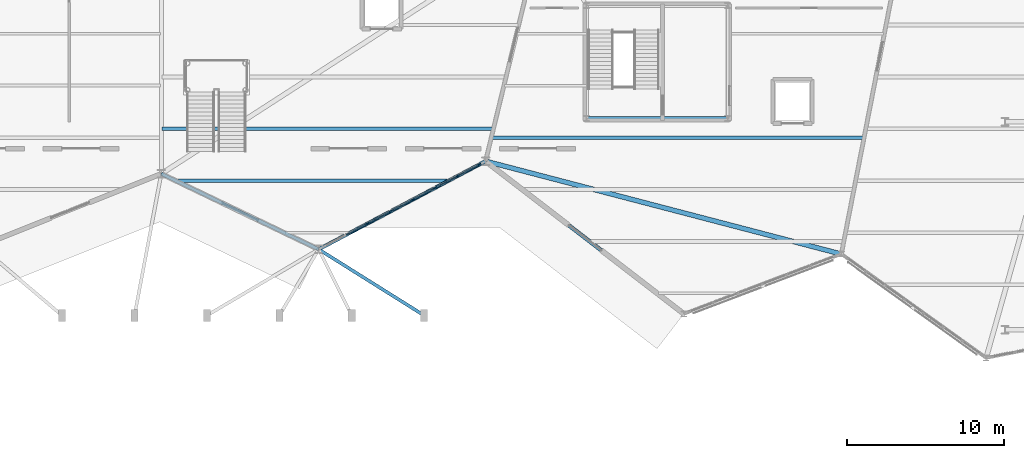
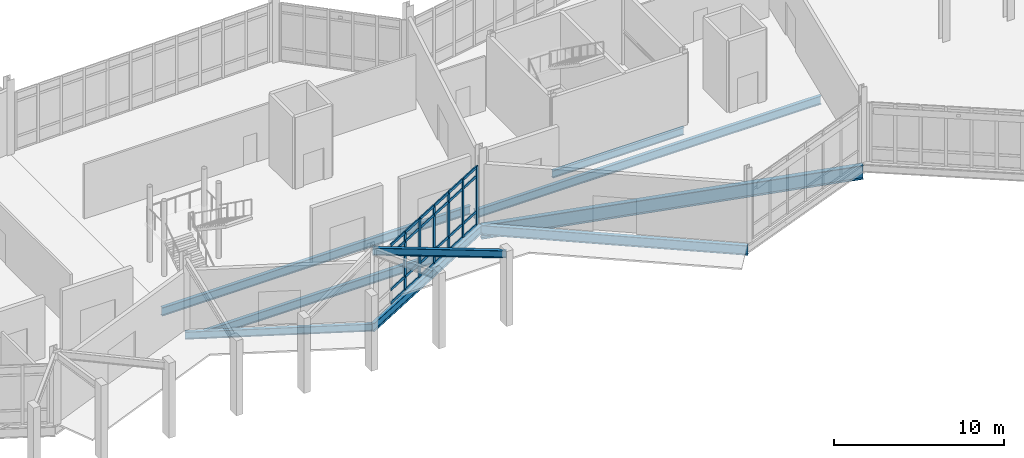
# One storey, part 35 of 113: 30 members, 9 beams, 1 element without a shape of its own.
"""IFC4 building model written with IfcOpenShell, lengths in metres."""

from ifc_helpers import new_model, si_unit, direction, frame, origin, origin_2d, place, context, subcontext, project, spatial, rectangle, i_section, extrude, material, material_profile, profile_set, type_object, element, aggregate, save


model = new_model("IFC4")

# Units and contexts
model_context = context("Model", 3, precision=1e-05, world=origin(), true_north=direction((0.0, 1.0)))
body_context = subcontext(model_context, "Body", "Model", "MODEL_VIEW")
ifc_project = project(units=[si_unit("LENGTHUNIT", "METRE"), si_unit("AREAUNIT", "SQUARE_METRE"), si_unit("VOLUMEUNIT", "CUBIC_METRE"), si_unit("PLANEANGLEUNIT", "RADIAN"), si_unit("MASSUNIT", "GRAM", prefix="KILO")], contexts=[model_context])

# Site, building, storey
site_placement = place(None, origin())
site = spatial("IfcSite", under=ifc_project, at=site_placement, CompositionType="ELEMENT")
building_placement = place(site_placement, origin())
building = spatial("IfcBuilding", under=site, at=building_placement, Name="Tameran Prism Museum", CompositionType="ELEMENT")
storey_placement = place(building_placement, origin())
storey = spatial("IfcBuildingStorey", under=building, at=storey_placement, Name="L00", CompositionType="ELEMENT", Elevation=0.0)

# Beams
ifc_material_1 = material(Name="Steel Grade 300PLUS (300 MPa)", Category="steel")
ifc_material_profile_1 = material_profile(ifc_material_1, i_section(OverallWidth=0.208984375, OverallDepth=0.532958984375, WebThickness=0.01025390625, FlangeThickness=0.015625, FilletRadius=0.013916015625, at=origin_2d()))
ifc_profile_set_1 = profile_set([ifc_material_profile_1])
beam_type_1 = type_object("IfcBeamType", Name="BM-SP530A", PredefinedType="SPANDREL", material=ifc_profile_set_1)
beam_1_placement = place(storey_placement, frame((77.5, 27.39990234375, -0.506591796875), z_axis=(0.901529926538, -0.432716756732, 0.0), x_axis=(0.432716756732, 0.901529926538, 0.0)))
element("IfcBeam", 1, at=beam_1_placement, inside=storey, type_object=beam_type_1, Name="Perimeter Spandrel SP-0027", PredefinedType="SPANDREL", context=body_context, shape_type="SweptSolid", body=[
    extrude(i_section(OverallWidth=0.208984375, OverallDepth=0.532958984375, WebThickness=0.01025390625, FlangeThickness=0.015625, FilletRadius=0.013916015625, at=origin_2d()), origin(), (0.0, 0.0, 1.0), 11.09228515625),
])
ifc_material_2 = material(Name="Steel Grade 300PLUS (300 MPa)", Category="steel")
ifc_material_profile_2 = material_profile(ifc_material_2, i_section(OverallWidth=0.208984375, OverallDepth=0.528076171875, WebThickness=0.009521484375, FlangeThickness=0.01318359375, FilletRadius=0.013916015625, at=origin_2d()))
ifc_profile_set_2 = profile_set([ifc_material_profile_2])
beam_type_2 = type_object("IfcBeamType", Name="BM-SP530B", PredefinedType="SPANDREL", material=ifc_profile_set_2)
beam_2_placement = place(storey_placement, frame((104.52001953125, 30.919921875, -0.50390625), z_axis=(1.0, 0.0, 0.0), x_axis=(0.0, 1.0, 0.0)))
element("IfcBeam", 2, at=beam_2_placement, inside=storey, type_object=beam_type_2, Name="Core Ring Beam CTB-0122", PredefinedType="SPANDREL", context=body_context, shape_type="SweptSolid", body=[
    extrude(i_section(OverallWidth=0.208984375, OverallDepth=0.528076171875, WebThickness=0.009521484375, FlangeThickness=0.01318359375, FilletRadius=0.013916015625, at=origin_2d()), origin(), (0.0, 0.0, 1.0), 8.9599609375),
])
beam_3_placement = place(storey_placement, frame((94.199951171875, 18.39990234375, 4.9599609375), z_axis=(-0.847274231014, 0.531155699828, 0.0), x_axis=(-0.531155699828, -0.847274231014, 0.0)))
element("IfcBeam", 3, at=beam_3_placement, inside=storey, type_object=beam_type_2, Name="Canopy Tie Beam CB-1322", PredefinedType="SPANDREL", context=body_context, shape_type="SweptSolid", body=[
    extrude(i_section(OverallWidth=0.208984375, OverallDepth=0.528076171875, WebThickness=0.009521484375, FlangeThickness=0.01318359375, FilletRadius=0.013916015625, at=origin_2d()), origin(), (0.0, 0.0, 1.0), 7.90771484375),
])
ifc_material_3 = material(Name="Steel Grade 300PLUS (300 MPa)", Category="steel")
ifc_material_profile_3 = material_profile(ifc_material_3, i_section(OverallWidth=0.22802734375, OverallDepth=0.60205078125, WebThickness=0.010498046875, FlangeThickness=0.014892578125, FilletRadius=0.013916015625, at=origin_2d()))
ifc_profile_set_3 = profile_set([ifc_material_profile_3])
beam_type_3 = type_object("IfcBeamType", Name="BM-SP610", PredefinedType="SPANDREL", material=ifc_profile_set_3)
beam_4_placement = place(storey_placement, frame((87.5, 22.60009765625, -0.541015625), z_axis=(0.884200208153, 0.46710811586, 0.0), x_axis=(-0.46710811586, 0.884200208153, 0.0)))
element("IfcBeam", 4, at=beam_4_placement, inside=storey, type_object=beam_type_3, Name="Perimeter Spandrel SP-0028", PredefinedType="SPANDREL", context=body_context, shape_type="SweptSolid", body=[
    extrude(i_section(OverallWidth=0.22802734375, OverallDepth=0.60205078125, WebThickness=0.010498046875, FlangeThickness=0.014892578125, FilletRadius=0.013916015625, at=origin_2d()), origin(), (0.0, 0.0, 1.0), 11.98828125),
])
ifc_material_4 = material(Name="Steel Grade 350 (350 MPa)", Category="steel")
ifc_material_profile_4 = material_profile(ifc_material_4, i_section(OverallWidth=0.25, OverallDepth=0.699951171875, WebThickness=0.010009765625, FlangeThickness=0.02001953125, at=origin_2d()))
ifc_profile_set_4 = profile_set([ifc_material_profile_4])
beam_type_4 = type_object("IfcBeamType", Name="BM-SP700", PredefinedType="SPANDREL", material=ifc_profile_set_4)
beam_5_placement = place(storey_placement, frame((98.10009765625, 28.199951171875, -0.590087890625), z_axis=(0.792388202323, -0.610017161086, 0.0), x_axis=(0.610017161086, 0.792388202323, 0.0)))
element("IfcBeam", 5, at=beam_5_placement, inside=storey, type_object=beam_type_4, Name="Perimeter Spandrel SP-0037", PredefinedType="SPANDREL", context=body_context, shape_type="SweptSolid", body=[
    extrude(i_section(OverallWidth=0.25, OverallDepth=0.699951171875, WebThickness=0.010009765625, FlangeThickness=0.02001953125, at=origin_2d()), origin(), (0.0, 0.0, 1.0), 15.901123046875),
])
ifc_material_5 = material(Name="Steel Grade 300PLUS (300 MPa)", Category="steel")
ifc_material_profile_5 = material_profile(ifc_material_5, i_section(OverallWidth=0.22802734375, OverallDepth=0.60693359375, WebThickness=0.01123046875, FlangeThickness=0.017333984375, FilletRadius=0.013916015625, at=origin_2d()))
ifc_profile_set_5 = profile_set([ifc_material_profile_5])
beam_type_5 = type_object("IfcBeamType", Name="BM-UB610B", PredefinedType="BEAM", material=ifc_profile_set_5)
beam_6_placement = place(storey_placement, frame((78.530029296875, 26.949951171875, -0.54345703125), z_axis=(1.0, 0.0, 0.0), x_axis=(0.0, 1.0, 0.0)))
element("IfcBeam", 6, at=beam_6_placement, inside=storey, type_object=beam_type_5, Name="Floor Beam BM-0210", PredefinedType="BEAM", context=body_context, shape_type="SweptSolid", body=[
    extrude(i_section(OverallWidth=0.22802734375, OverallDepth=0.60693359375, WebThickness=0.01123046875, FlangeThickness=0.017333984375, FilletRadius=0.013916015625, at=origin_2d()), origin(), (0.0, 0.0, 1.0), 17.117919921875),
])
beam_7_placement = place(storey_placement, frame((77.5400390625, 30.25, -0.54345703125), z_axis=(1.0, 0.0, 0.0), x_axis=(0.0, 1.0, 0.0)))
element("IfcBeam", 7, at=beam_7_placement, inside=storey, type_object=beam_type_5, Name="Floor Beam BM-0211", PredefinedType="BEAM", context=body_context, shape_type="SweptSolid", body=[
    extrude(i_section(OverallWidth=0.22802734375, OverallDepth=0.60693359375, WebThickness=0.01123046875, FlangeThickness=0.017333984375, FilletRadius=0.013916015625, at=origin_2d()), origin(), (0.0, 0.0, 1.0), 21.016845703125),
])
beam_8_placement = place(storey_placement, frame((98.506103515625, 29.699951171875, -0.54345703125), z_axis=(1.0, 0.0, 0.0), x_axis=(0.0, 1.0, 0.0)))
element("IfcBeam", 8, at=beam_8_placement, inside=storey, type_object=beam_type_5, Name="Floor Beam BM-0231", PredefinedType="BEAM", context=body_context, shape_type="SweptSolid", body=[
    extrude(i_section(OverallWidth=0.22802734375, OverallDepth=0.60693359375, WebThickness=0.01123046875, FlangeThickness=0.017333984375, FilletRadius=0.013916015625, at=origin_2d()), origin(), (0.0, 0.0, 1.0), 23.597900390625),
])
ifc_material_6 = material(Name="Steel Grade 350 (350 MPa)", Category="steel")
ifc_material_profile_6 = material_profile(ifc_material_6, i_section(OverallWidth=0.300048828125, OverallDepth=1.0, WebThickness=0.01611328125, FlangeThickness=0.031982421875, at=origin_2d()))
ifc_profile_set_6 = profile_set([ifc_material_profile_6])
beam_type_6 = type_object("IfcBeamType", Name="BM-WB1000", PredefinedType="BEAM", material=ifc_profile_set_6)
beam_9_placement = place(storey_placement, frame((98.10009765625, 28.199951171875, -0.739990234375), z_axis=(0.967572413362, -0.252593794265, 0.0), x_axis=(0.252593794265, 0.967572413362, 0.0)))
element("IfcBeam", 9, at=beam_9_placement, inside=storey, type_object=beam_type_6, Name="Primary Vertex Girder PG-0041", PredefinedType="BEAM", context=body_context, shape_type="SweptSolid", body=[
    extrude(i_section(OverallWidth=0.300048828125, OverallDepth=1.0, WebThickness=0.01611328125, FlangeThickness=0.031982421875, at=origin_2d()), origin(), (0.0, 0.0, 1.0), 23.357177734375),
])

# Curtain wall, members
ifc_material_7 = material(Name="Anodised Aluminium 6063-T6 and Cyclone Solar Glass", Category="aluminium")
curtain_wall_type = type_object("IfcCurtainWallType", Name="CW-FAC-1123x422", PredefinedType="USERDEFINED", material=ifc_material_7)
curtain_wall_placement = place(storey_placement, origin())
curtain_wall = element("IfcCurtainWall", 10, at=curtain_wall_placement, inside=storey, type_object=curtain_wall_type, Name="Unitised Curtain Wall CW-030", ObjectType="UNITISED CURTAIN WALL", PredefinedType="USERDEFINED")
ifc_material_8 = material(Name="Anodised Aluminium Alloy 6063-T6", Category="aluminium")
ifc_material_profile_7 = material_profile(ifc_material_8, rectangle(XDim=0.080078125, YDim=0.219970703125, at=origin_2d()))
ifc_profile_set_7 = profile_set([ifc_material_profile_7])
member_type_1 = type_object("IfcMemberType", Name="CW-MUL-D", PredefinedType="MULLION", material=ifc_profile_set_7)
member_1_placement = place(storey_placement, frame((97.70263671875, 27.990234375, 0.0), z_axis=(0.0, 0.0, 1.0), x_axis=(0.467155185438, -0.884175340483, 0.0)))
member_1 = element("IfcMember", 11, at=member_1_placement, type_object=member_type_1, Name="CW-030 mullion 1", PredefinedType="MULLION", context=body_context, shape_type="SweptSolid", body=[
    extrude(rectangle(XDim=0.080078125, YDim=0.219970703125, at=origin_2d()), origin(), (0.0, 0.0, 1.0), 4.219970703125),
])
member_2_placement = place(storey_placement, frame((96.319580078125, 27.259521484375, 0.0), z_axis=(0.0, 0.0, 1.0), x_axis=(0.467155185438, -0.884175340483, 0.0)))
member_2 = element("IfcMember", 12, at=member_2_placement, type_object=member_type_1, Name="CW-030 mullion 2", PredefinedType="MULLION", context=body_context, shape_type="SweptSolid", body=[
    extrude(rectangle(XDim=0.080078125, YDim=0.219970703125, at=origin_2d()), origin(), (0.0, 0.0, 1.0), 4.219970703125),
])
member_3_placement = place(storey_placement, frame((94.901123046875, 26.51025390625, 0.0), z_axis=(0.0, 0.0, 1.0), x_axis=(0.467155185438, -0.884175340483, 0.0)))
member_3 = element("IfcMember", 13, at=member_3_placement, type_object=member_type_1, Name="CW-030 mullion 3", PredefinedType="MULLION", context=body_context, shape_type="SweptSolid", body=[
    extrude(rectangle(XDim=0.080078125, YDim=0.219970703125, at=origin_2d()), origin(), (0.0, 0.0, 1.0), 4.219970703125),
])
member_4_placement = place(storey_placement, frame((93.482666015625, 25.7607421875, 0.0), z_axis=(0.0, 0.0, 1.0), x_axis=(0.467155185438, -0.884175340483, 0.0)))
member_4 = element("IfcMember", 14, at=member_4_placement, type_object=member_type_1, Name="CW-030 mullion 4", PredefinedType="MULLION", context=body_context, shape_type="SweptSolid", body=[
    extrude(rectangle(XDim=0.080078125, YDim=0.219970703125, at=origin_2d()), origin(), (0.0, 0.0, 1.0), 4.219970703125),
])
member_5_placement = place(storey_placement, frame((92.064208984375, 25.01123046875, 0.0), z_axis=(0.0, 0.0, 1.0), x_axis=(0.467155185438, -0.884175340483, 0.0)))
member_5 = element("IfcMember", 15, at=member_5_placement, type_object=member_type_1, Name="CW-030 mullion 5", PredefinedType="MULLION", context=body_context, shape_type="SweptSolid", body=[
    extrude(rectangle(XDim=0.080078125, YDim=0.219970703125, at=origin_2d()), origin(), (0.0, 0.0, 1.0), 4.219970703125),
])
member_6_placement = place(storey_placement, frame((90.645751953125, 24.261962890625, 0.0), z_axis=(0.0, 0.0, 1.0), x_axis=(0.467155185438, -0.884175340483, 0.0)))
member_6 = element("IfcMember", 16, at=member_6_placement, type_object=member_type_1, Name="CW-030 mullion 6", PredefinedType="MULLION", context=body_context, shape_type="SweptSolid", body=[
    extrude(rectangle(XDim=0.080078125, YDim=0.219970703125, at=origin_2d()), origin(), (0.0, 0.0, 1.0), 4.219970703125),
])
ifc_material_9 = material(Name="Anodised Aluminium Alloy 6063-T6", Category="aluminium")
ifc_material_profile_8 = material_profile(ifc_material_9, rectangle(XDim=0.080078125, YDim=0.195068359375, at=origin_2d()))
ifc_profile_set_8 = profile_set([ifc_material_profile_8])
member_type_2 = type_object("IfcMemberType", Name="CW-TRN-D", PredefinedType="USERDEFINED", material=ifc_profile_set_8)
member_7_placement = place(storey_placement, frame((97.667236328125, 27.9716796875, 0.0400390625), z_axis=(-0.884167744573, -0.467169561784, 0.0), x_axis=(0.467169561784, -0.884167744573, 0.0)))
member_7 = element("IfcMember", 17, at=member_7_placement, type_object=member_type_2, Name="CW-030 transom 1.1", ObjectType="TRANSOM", PredefinedType="USERDEFINED", context=body_context, shape_type="SweptSolid", body=[
    extrude(rectangle(XDim=0.080078125, YDim=0.195068359375, at=origin_2d()), origin(), (0.0, 0.0, 1.0), 1.484130859375),
])
member_8_placement = place(storey_placement, frame((97.667236328125, 27.9716796875, 1.0), z_axis=(-0.884167744573, -0.467169561784, 0.0), x_axis=(0.467169561784, -0.884167744573, 0.0)))
member_8 = element("IfcMember", 18, at=member_8_placement, type_object=member_type_2, Name="CW-030 transom 1.2", ObjectType="TRANSOM", PredefinedType="USERDEFINED", context=body_context, shape_type="SweptSolid", body=[
    extrude(rectangle(XDim=0.080078125, YDim=0.195068359375, at=origin_2d()), origin(), (0.0, 0.0, 1.0), 1.484130859375),
])
member_9_placement = place(storey_placement, frame((97.667236328125, 27.9716796875, 3.5400390625), z_axis=(-0.884167744573, -0.467169561784, 0.0), x_axis=(0.467169561784, -0.884167744573, 0.0)))
member_9 = element("IfcMember", 19, at=member_9_placement, type_object=member_type_2, Name="CW-030 transom 1.3", ObjectType="TRANSOM", PredefinedType="USERDEFINED", context=body_context, shape_type="SweptSolid", body=[
    extrude(rectangle(XDim=0.080078125, YDim=0.195068359375, at=origin_2d()), origin(), (0.0, 0.0, 1.0), 1.484130859375),
])
member_10_placement = place(storey_placement, frame((97.667236328125, 27.9716796875, 4.179931640625), z_axis=(-0.884167744573, -0.467169561784, 0.0), x_axis=(0.467169561784, -0.884167744573, 0.0)))
member_10 = element("IfcMember", 20, at=member_10_placement, type_object=member_type_2, Name="CW-030 transom 1.4", ObjectType="TRANSOM", PredefinedType="USERDEFINED", context=body_context, shape_type="SweptSolid", body=[
    extrude(rectangle(XDim=0.080078125, YDim=0.195068359375, at=origin_2d()), origin(), (0.0, 0.0, 1.0), 1.484130859375),
])
member_11_placement = place(storey_placement, frame((96.2841796875, 27.240966796875, 0.0400390625), z_axis=(-0.884142202605, -0.467217899456, 0.0), x_axis=(0.467217899456, -0.884142202605, 0.0)))
member_11 = element("IfcMember", 21, at=member_11_placement, type_object=member_type_2, Name="CW-030 transom 2.1", ObjectType="TRANSOM", PredefinedType="USERDEFINED", context=body_context, shape_type="SweptSolid", body=[
    extrude(rectangle(XDim=0.080078125, YDim=0.195068359375, at=origin_2d()), origin(), (0.0, 0.0, 1.0), 1.524169921875),
])
member_12_placement = place(storey_placement, frame((96.2841796875, 27.240966796875, 1.0), z_axis=(-0.884142202605, -0.467217899456, 0.0), x_axis=(0.467217899456, -0.884142202605, 0.0)))
member_12 = element("IfcMember", 22, at=member_12_placement, type_object=member_type_2, Name="CW-030 transom 2.2", ObjectType="TRANSOM", PredefinedType="USERDEFINED", context=body_context, shape_type="SweptSolid", body=[
    extrude(rectangle(XDim=0.080078125, YDim=0.195068359375, at=origin_2d()), origin(), (0.0, 0.0, 1.0), 1.524169921875),
])
member_13_placement = place(storey_placement, frame((96.2841796875, 27.240966796875, 3.5400390625), z_axis=(-0.884142202605, -0.467217899456, 0.0), x_axis=(0.467217899456, -0.884142202605, 0.0)))
member_13 = element("IfcMember", 23, at=member_13_placement, type_object=member_type_2, Name="CW-030 transom 2.3", ObjectType="TRANSOM", PredefinedType="USERDEFINED", context=body_context, shape_type="SweptSolid", body=[
    extrude(rectangle(XDim=0.080078125, YDim=0.195068359375, at=origin_2d()), origin(), (0.0, 0.0, 1.0), 1.524169921875),
])
member_14_placement = place(storey_placement, frame((96.2841796875, 27.240966796875, 4.179931640625), z_axis=(-0.884142202605, -0.467217899456, 0.0), x_axis=(0.467217899456, -0.884142202605, 0.0)))
member_14 = element("IfcMember", 24, at=member_14_placement, type_object=member_type_2, Name="CW-030 transom 2.4", ObjectType="TRANSOM", PredefinedType="USERDEFINED", context=body_context, shape_type="SweptSolid", body=[
    extrude(rectangle(XDim=0.080078125, YDim=0.195068359375, at=origin_2d()), origin(), (0.0, 0.0, 1.0), 1.524169921875),
])
member_15_placement = place(storey_placement, frame((94.86572265625, 26.491455078125, 0.0400390625), z_axis=(-0.884142202605, -0.467217899456, 0.0), x_axis=(0.467217899456, -0.884142202605, 0.0)))
member_15 = element("IfcMember", 25, at=member_15_placement, type_object=member_type_2, Name="CW-030 transom 3.1", ObjectType="TRANSOM", PredefinedType="USERDEFINED", context=body_context, shape_type="SweptSolid", body=[
    extrude(rectangle(XDim=0.080078125, YDim=0.195068359375, at=origin_2d()), origin(), (0.0, 0.0, 1.0), 1.524169921875),
])
member_16_placement = place(storey_placement, frame((94.86572265625, 26.491455078125, 1.0), z_axis=(-0.884142202605, -0.467217899456, 0.0), x_axis=(0.467217899456, -0.884142202605, 0.0)))
member_16 = element("IfcMember", 26, at=member_16_placement, type_object=member_type_2, Name="CW-030 transom 3.2", ObjectType="TRANSOM", PredefinedType="USERDEFINED", context=body_context, shape_type="SweptSolid", body=[
    extrude(rectangle(XDim=0.080078125, YDim=0.195068359375, at=origin_2d()), origin(), (0.0, 0.0, 1.0), 1.524169921875),
])
member_17_placement = place(storey_placement, frame((94.86572265625, 26.491455078125, 3.5400390625), z_axis=(-0.884142202605, -0.467217899456, 0.0), x_axis=(0.467217899456, -0.884142202605, 0.0)))
member_17 = element("IfcMember", 27, at=member_17_placement, type_object=member_type_2, Name="CW-030 transom 3.3", ObjectType="TRANSOM", PredefinedType="USERDEFINED", context=body_context, shape_type="SweptSolid", body=[
    extrude(rectangle(XDim=0.080078125, YDim=0.195068359375, at=origin_2d()), origin(), (0.0, 0.0, 1.0), 1.524169921875),
])
member_18_placement = place(storey_placement, frame((94.86572265625, 26.491455078125, 4.179931640625), z_axis=(-0.884142202605, -0.467217899456, 0.0), x_axis=(0.467217899456, -0.884142202605, 0.0)))
member_18 = element("IfcMember", 28, at=member_18_placement, type_object=member_type_2, Name="CW-030 transom 3.4", ObjectType="TRANSOM", PredefinedType="USERDEFINED", context=body_context, shape_type="SweptSolid", body=[
    extrude(rectangle(XDim=0.080078125, YDim=0.195068359375, at=origin_2d()), origin(), (0.0, 0.0, 1.0), 1.524169921875),
])
member_19_placement = place(storey_placement, frame((93.447265625, 25.741943359375, 0.0400390625), z_axis=(-0.884208363129, -0.467092678783, 0.0), x_axis=(0.467092678783, -0.884208363129, 0.0)))
member_19 = element("IfcMember", 29, at=member_19_placement, type_object=member_type_2, Name="CW-030 transom 4.1", ObjectType="TRANSOM", PredefinedType="USERDEFINED", context=body_context, shape_type="SweptSolid", body=[
    extrude(rectangle(XDim=0.080078125, YDim=0.195068359375, at=origin_2d()), origin(), (0.0, 0.0, 1.0), 1.524169921875),
])
member_20_placement = place(storey_placement, frame((93.447265625, 25.741943359375, 1.0), z_axis=(-0.884208363129, -0.467092678783, 0.0), x_axis=(0.467092678783, -0.884208363129, 0.0)))
member_20 = element("IfcMember", 30, at=member_20_placement, type_object=member_type_2, Name="CW-030 transom 4.2", ObjectType="TRANSOM", PredefinedType="USERDEFINED", context=body_context, shape_type="SweptSolid", body=[
    extrude(rectangle(XDim=0.080078125, YDim=0.195068359375, at=origin_2d()), origin(), (0.0, 0.0, 1.0), 1.524169921875),
])
member_21_placement = place(storey_placement, frame((93.447265625, 25.741943359375, 3.5400390625), z_axis=(-0.884208363129, -0.467092678783, 0.0), x_axis=(0.467092678783, -0.884208363129, 0.0)))
member_21 = element("IfcMember", 31, at=member_21_placement, type_object=member_type_2, Name="CW-030 transom 4.3", ObjectType="TRANSOM", PredefinedType="USERDEFINED", context=body_context, shape_type="SweptSolid", body=[
    extrude(rectangle(XDim=0.080078125, YDim=0.195068359375, at=origin_2d()), origin(), (0.0, 0.0, 1.0), 1.524169921875),
])
member_22_placement = place(storey_placement, frame((93.447265625, 25.741943359375, 4.179931640625), z_axis=(-0.884208363129, -0.467092678783, 0.0), x_axis=(0.467092678783, -0.884208363129, 0.0)))
member_22 = element("IfcMember", 32, at=member_22_placement, type_object=member_type_2, Name="CW-030 transom 4.4", ObjectType="TRANSOM", PredefinedType="USERDEFINED", context=body_context, shape_type="SweptSolid", body=[
    extrude(rectangle(XDim=0.080078125, YDim=0.195068359375, at=origin_2d()), origin(), (0.0, 0.0, 1.0), 1.524169921875),
])
member_23_placement = place(storey_placement, frame((92.02880859375, 24.99267578125, 0.0400390625), z_axis=(-0.884142202605, -0.467217899456, 0.0), x_axis=(0.467217899456, -0.884142202605, 0.0)))
member_23 = element("IfcMember", 33, at=member_23_placement, type_object=member_type_2, Name="CW-030 transom 5.1", ObjectType="TRANSOM", PredefinedType="USERDEFINED", context=body_context, shape_type="SweptSolid", body=[
    extrude(rectangle(XDim=0.080078125, YDim=0.195068359375, at=origin_2d()), origin(), (0.0, 0.0, 1.0), 1.524169921875),
])
member_24_placement = place(storey_placement, frame((92.02880859375, 24.99267578125, 1.0), z_axis=(-0.884142202605, -0.467217899456, 0.0), x_axis=(0.467217899456, -0.884142202605, 0.0)))
member_24 = element("IfcMember", 34, at=member_24_placement, type_object=member_type_2, Name="CW-030 transom 5.2", ObjectType="TRANSOM", PredefinedType="USERDEFINED", context=body_context, shape_type="SweptSolid", body=[
    extrude(rectangle(XDim=0.080078125, YDim=0.195068359375, at=origin_2d()), origin(), (0.0, 0.0, 1.0), 1.524169921875),
])
member_25_placement = place(storey_placement, frame((92.02880859375, 24.99267578125, 3.5400390625), z_axis=(-0.884142202605, -0.467217899456, 0.0), x_axis=(0.467217899456, -0.884142202605, 0.0)))
member_25 = element("IfcMember", 35, at=member_25_placement, type_object=member_type_2, Name="CW-030 transom 5.3", ObjectType="TRANSOM", PredefinedType="USERDEFINED", context=body_context, shape_type="SweptSolid", body=[
    extrude(rectangle(XDim=0.080078125, YDim=0.195068359375, at=origin_2d()), origin(), (0.0, 0.0, 1.0), 1.524169921875),
])
member_26_placement = place(storey_placement, frame((92.02880859375, 24.99267578125, 4.179931640625), z_axis=(-0.884142202605, -0.467217899456, 0.0), x_axis=(0.467217899456, -0.884142202605, 0.0)))
member_26 = element("IfcMember", 36, at=member_26_placement, type_object=member_type_2, Name="CW-030 transom 5.4", ObjectType="TRANSOM", PredefinedType="USERDEFINED", context=body_context, shape_type="SweptSolid", body=[
    extrude(rectangle(XDim=0.080078125, YDim=0.195068359375, at=origin_2d()), origin(), (0.0, 0.0, 1.0), 1.524169921875),
])
member_27_placement = place(storey_placement, frame((90.610595703125, 24.2431640625, 0.0400390625), z_axis=(-0.88417715925, -0.467151743078, 0.0), x_axis=(0.467151743078, -0.88417715925, 0.0)))
member_27 = element("IfcMember", 37, at=member_27_placement, type_object=member_type_2, Name="CW-030 transom 6.1", ObjectType="TRANSOM", PredefinedType="USERDEFINED", context=body_context, shape_type="SweptSolid", body=[
    extrude(rectangle(XDim=0.080078125, YDim=0.195068359375, at=origin_2d()), origin(), (0.0, 0.0, 1.0), 1.5244140625),
])
member_28_placement = place(storey_placement, frame((90.610595703125, 24.2431640625, 1.0), z_axis=(-0.88417715925, -0.467151743078, 0.0), x_axis=(0.467151743078, -0.88417715925, 0.0)))
member_28 = element("IfcMember", 38, at=member_28_placement, type_object=member_type_2, Name="CW-030 transom 6.2", ObjectType="TRANSOM", PredefinedType="USERDEFINED", context=body_context, shape_type="SweptSolid", body=[
    extrude(rectangle(XDim=0.080078125, YDim=0.195068359375, at=origin_2d()), origin(), (0.0, 0.0, 1.0), 1.5244140625),
])
member_29_placement = place(storey_placement, frame((90.610595703125, 24.2431640625, 3.5400390625), z_axis=(-0.88417715925, -0.467151743078, 0.0), x_axis=(0.467151743078, -0.88417715925, 0.0)))
member_29 = element("IfcMember", 39, at=member_29_placement, type_object=member_type_2, Name="CW-030 transom 6.3", ObjectType="TRANSOM", PredefinedType="USERDEFINED", context=body_context, shape_type="SweptSolid", body=[
    extrude(rectangle(XDim=0.080078125, YDim=0.195068359375, at=origin_2d()), origin(), (0.0, 0.0, 1.0), 1.5244140625),
])
member_30_placement = place(storey_placement, frame((90.610595703125, 24.2431640625, 4.179931640625), z_axis=(-0.88417715925, -0.467151743078, 0.0), x_axis=(0.467151743078, -0.88417715925, 0.0)))
member_30 = element("IfcMember", 40, at=member_30_placement, type_object=member_type_2, Name="CW-030 transom 6.4", ObjectType="TRANSOM", PredefinedType="USERDEFINED", context=body_context, shape_type="SweptSolid", body=[
    extrude(rectangle(XDim=0.080078125, YDim=0.195068359375, at=origin_2d()), origin(), (0.0, 0.0, 1.0), 1.5244140625),
])
aggregate(curtain_wall, [member_1, member_2, member_3, member_4, member_5, member_6, member_7, member_8, member_9, member_10, member_11, member_12, member_13, member_14, member_15, member_16, member_17, member_18, member_19, member_20, member_21, member_22, member_23, member_24, member_25, member_26, member_27, member_28, member_29, member_30])

save(model, "model.ifc")
